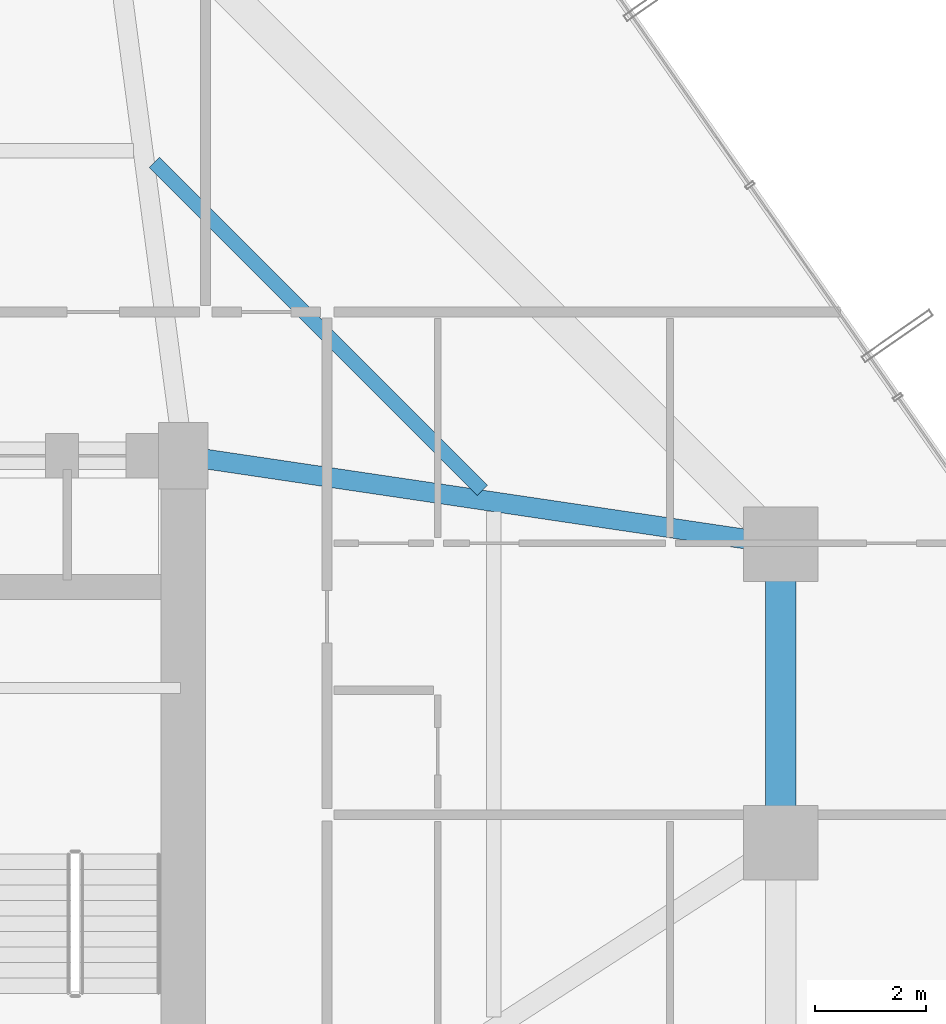
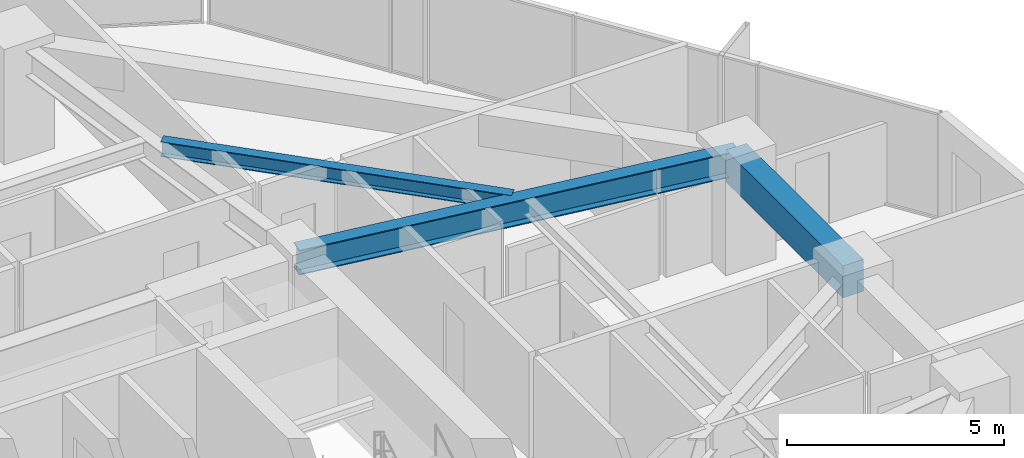
# One storey, part 19 of 37: 3 beams.
"""IFC4 building model written with IfcOpenShell, lengths in metres."""

import ifcopenshell
import ifcopenshell.guid

model = None  # the IFC model being written
_history = None  # IfcOwnerHistory: only IFC2X3 demands one
_inside = {}  # id of a spatial element -> (the spatial element, [elements in it])
_under = {}  # id of a project, library or spatial element -> (it, [spatial elements below it])
_declared = {}  # id of a project -> (the project, [libraries it declares])
_typed = {}  # id of a type object -> (the type object, [elements of that type])
_made_of = {}  # id of a material, layer set ... -> (it, [elements and type objects made of it])


def new_model(schema):
    """Start an empty IFC model of exactly this schema.

    Asked for "IFC4X3", IfcOpenShell would pick the latest addendum, in which some entities
    have other attributes; the version numbers below select the first issue.
    IFC2X3 requires an IfcOwnerHistory on every rooted entity: one is made here for all.
    """
    global model, _history
    if schema == "IFC4X3":
        model = ifcopenshell.file(schema_version=(4, 3, 0, 0))
    else:
        model = ifcopenshell.file(schema=schema)
    _inside.clear()
    _under.clear()
    _declared.clear()
    _typed.clear()
    _made_of.clear()
    _history = None
    if model.schema == "IFC2X3":
        org = make("IfcOrganization", Name="unknown")
        user = make(
            "IfcPersonAndOrganization",
            ThePerson=make("IfcPerson", FamilyName="unknown"),
            TheOrganization=org,
        )
        app = make(
            "IfcApplication",
            ApplicationDeveloper=org,
            Version="unknown",
            ApplicationFullName="unknown",
            ApplicationIdentifier="unknown",
        )
        _history = make(
            "IfcOwnerHistory",
            OwningUser=user,
            OwningApplication=app,
            ChangeAction="ADDED",
            CreationDate=0,
        )
    return model


def make(cls, **values):
    """One entity of the class cls with the attributes given. An attribute that is None is left unset."""
    return model.create_entity(
        cls, **{name: value for name, value in values.items() if value is not None}
    )


def rooted(cls, **values):
    """An entity with a GlobalId (a new one), such as an element, a storey or a relation."""
    return make(cls, GlobalId=ifcopenshell.guid.new(), OwnerHistory=_history, **values)


def si_unit(unit_type, name, prefix=None):
    """IfcSIUnit, for example si_unit("LENGTHUNIT", "METRE", prefix="MILLI")."""
    return make("IfcSIUnit", UnitType=unit_type, Prefix=prefix, Name=name)


def assignment(units):
    """IfcUnitAssignment: the units of a project."""
    return None if units is None else make("IfcUnitAssignment", Units=units)


def point(xyz):
    """IfcCartesianPoint."""
    return None if xyz is None else make("IfcCartesianPoint", Coordinates=xyz)


def direction(xyz):
    """IfcDirection."""
    return None if xyz is None else make("IfcDirection", DirectionRatios=xyz)


def frame(location, z_axis=None, x_axis=None):
    """IfcAxis2Placement3D, a coordinate frame: its origin and axes. An axis left out is left unset."""
    return make(
        "IfcAxis2Placement3D",
        Location=point(location),
        Axis=direction(z_axis),
        RefDirection=direction(x_axis),
    )


def frame_2d(location, x_axis=None):
    """IfcAxis2Placement2D, a coordinate frame in the plane: its origin and x axis."""
    return make(
        "IfcAxis2Placement2D", Location=point(location), RefDirection=direction(x_axis)
    )


def origin():
    """The frame at (0, 0, 0) with its axes left unset."""
    return frame((0.0, 0.0, 0.0))


def origin_2d():
    """The frame at (0, 0) in the plane with its x axis left unset."""
    return frame_2d((0.0, 0.0))


def place(relative_to, where):
    """IfcLocalPlacement: puts the frame where relative to a parent placement (None: the world)."""
    return make(
        "IfcLocalPlacement", PlacementRelTo=relative_to, RelativePlacement=where
    )


def context(
    kind, dimensions, precision=None, world=None, true_north=None, identifier=None
):
    """IfcGeometricRepresentationContext, for example the 3D "Model" context."""
    return make(
        "IfcGeometricRepresentationContext",
        ContextIdentifier=identifier,
        ContextType=kind,
        CoordinateSpaceDimension=dimensions,
        Precision=precision,
        WorldCoordinateSystem=world,
        TrueNorth=true_north,
    )


def subcontext(parent, identifier, kind, view, scale=None):
    """IfcGeometricRepresentationSubContext, for example "Body" below "Model"."""
    return make(
        "IfcGeometricRepresentationSubContext",
        ContextIdentifier=identifier,
        ContextType=kind,
        ParentContext=parent,
        TargetScale=scale,
        TargetView=view,
    )


def project(units=None, contexts=None):
    """IfcProject with its units and contexts."""
    return rooted(
        "IfcProject",
        Name="project",
        RepresentationContexts=contexts,
        UnitsInContext=assignment(units),
    )


def spatial(cls, under=None, at=None, **own):
    """A site, building, storey or space (cls), placed at a placement, below another one or the project."""
    s = rooted(cls, ObjectPlacement=at, **own)
    if under is not None:
        _under.setdefault(under.id(), (under, []))[1].append(s)
    return s


def profile(cls, at=None, kind="AREA", **sizes):
    """A parametric profile (cls). Its sizes go by their IFC names, for example OverallWidth=200.0."""
    return make(cls, ProfileType=kind, Position=at, **sizes)


def rectangle(**sizes):
    """IfcRectangleProfileDef."""
    return profile("IfcRectangleProfileDef", **sizes)


def i_section(**sizes):
    """IfcIShapeProfileDef."""
    return profile("IfcIShapeProfileDef", **sizes)


def extrude(swept, where, along, depth):
    """IfcExtrudedAreaSolid: the profile swept, set in the frame where, extruded along a direction by depth."""
    return make(
        "IfcExtrudedAreaSolid",
        SweptArea=swept,
        Position=where,
        ExtrudedDirection=direction(along),
        Depth=depth,
    )


def shape(context_of_items, identifier, shape_type, items):
    """IfcShapeRepresentation: the items that make up one representation, for example the "Body"."""
    return make(
        "IfcShapeRepresentation",
        ContextOfItems=context_of_items,
        RepresentationIdentifier=identifier,
        RepresentationType=shape_type,
        Items=items,
    )


def material(Name=None, Category=None):
    """IfcMaterial."""
    return make("IfcMaterial", Name=Name, Category=Category)


def material_profile(
    of_material, cross_section, Name=None, Category=None, Priority=None
):
    """IfcMaterialProfile: a cross section and its material."""
    return make(
        "IfcMaterialProfile",
        Name=Name,
        Material=of_material,
        Profile=cross_section,
        Priority=Priority,
        Category=Category,
    )


def profile_set(profiles, Name=None, composite=None):
    """IfcMaterialProfileSet."""
    return make(
        "IfcMaterialProfileSet",
        Name=Name,
        MaterialProfiles=profiles,
        CompositeProfile=composite,
    )


def made_of(thing, what):
    """Note that an element or type object is made of a material, layer set ...; save() writes the relation."""
    if what is not None:
        _made_of.setdefault(what.id(), (what, []))[1].append(thing)
    return thing


def type_object(cls, material=None, **own):
    """A type object (cls), such as IfcWallType, which elements share."""
    return made_of(rooted(cls, **own), material)


def element(
    cls,
    number,
    at=None,
    inside=None,
    cuts=None,
    type_object=None,
    material=None,
    context=None,
    identifier="Body",
    shape_type=None,
    held_by="IfcProductDefinitionShape",
    body=None,
    shapes=None,
    **own,
):
    """One element of the class cls, such as IfcWall. Its Tag is "e" and its number.

    at: its placement. inside: the storey or other place that contains it. cuts: it is an
    opening in that element (IfcRelVoidsElement). A single representation is given by context,
    identifier, shape_type and body (its items); several are given by shapes. held_by: the class
    of the entity that holds the representations. save() writes the other relations.
    """
    e = rooted(cls, Tag="e%d" % number, ObjectPlacement=at, **own)
    if body is not None:
        shapes = [shape(context, identifier, shape_type, body)]
    if shapes is not None:
        e.Representation = make(held_by, Representations=shapes)
    if inside is not None:
        _inside.setdefault(inside.id(), (inside, []))[1].append(e)
    if cuts is not None:
        rooted(
            "IfcRelVoidsElement", RelatingBuildingElement=cuts, RelatedOpeningElement=e
        )
    if type_object is not None:
        _typed.setdefault(type_object.id(), (type_object, []))[1].append(e)
    return made_of(e, material)


def aggregate(whole, parts):
    """IfcRelAggregates: a whole, such as a stair, and the parts it consists of."""
    return rooted("IfcRelAggregates", RelatingObject=whole, RelatedObjects=parts)


def save(model, path):
    """Write the relations noted so far, then the file.

    IfcRelAggregates (storeys below a building ...), IfcRelContainedInSpatialStructure (elements
    in a storey), IfcRelDefinesByType, IfcRelAssociatesMaterial and IfcRelDeclares: one each for
    every whole, place, type object, material and project.
    """
    for whole, parts in _under.values():
        aggregate(whole, parts)
    for where, things in _inside.values():
        rooted(
            "IfcRelContainedInSpatialStructure",
            RelatedElements=things,
            RelatingStructure=where,
        )
    for kind, things in _typed.values():
        rooted("IfcRelDefinesByType", RelatedObjects=things, RelatingType=kind)
    for what, things in _made_of.values():
        rooted("IfcRelAssociatesMaterial", RelatedObjects=things, RelatingMaterial=what)
    for by, libraries in _declared.values():
        rooted("IfcRelDeclares", RelatingContext=by, RelatedDefinitions=libraries)
    model.write(path)


model = new_model("IFC4")

# Units and contexts
model_context = context("Model", 3, precision=1e-05, world=origin(), true_north=direction((0.0, 1.0)))
body_context = subcontext(model_context, "Body", "Model", "MODEL_VIEW")
ifc_project = project(units=[si_unit("LENGTHUNIT", "METRE"), si_unit("AREAUNIT", "SQUARE_METRE"), si_unit("VOLUMEUNIT", "CUBIC_METRE"), si_unit("PLANEANGLEUNIT", "RADIAN"), si_unit("MASSUNIT", "GRAM", prefix="KILO")], contexts=[model_context])

# Site, building, storey
site_placement = place(None, origin())
site = spatial("IfcSite", under=ifc_project, at=site_placement, CompositionType="ELEMENT")
building_placement = place(site_placement, origin())
building = spatial("IfcBuilding", under=site, at=building_placement, Name="Veraguas Prism Commons", CompositionType="ELEMENT")
storey_placement = place(building_placement, frame((0.0, 0.0, 40.300048828125)))
storey = spatial("IfcBuildingStorey", under=building, at=storey_placement, Name="L10", CompositionType="ELEMENT", Elevation=40.300048828125)

# Beams
ifc_material_1 = material(Name="Steel ASTM A992 Grade 50", Category="steel")
ifc_material_profile_1 = material_profile(ifc_material_1, i_section(OverallWidth=0.260986328125, OverallDepth=0.419921875, WebThickness=0.01171875, FlangeThickness=0.019287109375, at=origin_2d()), Name="W410X114")
ifc_profile_set_1 = profile_set([ifc_material_profile_1], Name="Steel ASTM A992 Grade 50")
beam_type_1 = type_object("IfcBeamType", Name="Lower Floor Joist W410x114", PredefinedType="JOIST", material=ifc_profile_set_1)
beam_1_placement = place(storey_placement, frame((36.20703125, 30.376953125, 2.7900390625), z_axis=(-0.707092226423, 0.70712133565, 0.0), x_axis=(-0.70712133565, -0.707092226423, 0.0)))
element("IfcBeam", 1, at=beam_1_placement, inside=storey, type_object=beam_type_1, Name="Composite Floor Joist L10-JS03", PredefinedType="JOIST", context=body_context, shape_type="SweptSolid", body=[
    extrude(i_section(OverallWidth=0.260986328125, OverallDepth=0.419921875, WebThickness=0.01171875, FlangeThickness=0.019287109375, at=origin_2d()), origin(), (0.0, 0.0, 1.0), 8.386962890625),
])
ifc_material_2 = material(Name="Concrete C50/60", Category="concrete")
ifc_material_profile_2 = material_profile(ifc_material_2, rectangle(XDim=0.550048828125, YDim=0.89990234375, at=origin_2d()), Name="RC550X900")
ifc_profile_set_2 = profile_set([ifc_material_profile_2], Name="Concrete C50/60")
beam_type_2 = type_object("IfcBeamType", Name="Perimeter Spandrel Lower RC 550x900", PredefinedType="SPANDREL", material=ifc_profile_set_2)
beam_2_placement = place(storey_placement, frame((41.60009765625, 24.0, 2.550048828125), z_axis=(0.0, 1.0, 0.0), x_axis=(-1.0, 0.0, 0.0)))
element("IfcBeam", 2, at=beam_2_placement, inside=storey, type_object=beam_type_2, Name="Perimeter Spandrel Beam L10-SP02", PredefinedType="SPANDREL", context=body_context, shape_type="SweptSolid", body=[
    extrude(rectangle(XDim=0.550048828125, YDim=0.89990234375, at=origin_2d()), origin(), (0.0, 0.0, 1.0), 5.39990234375),
])
ifc_material_profile_3 = material_profile(ifc_material_1, i_section(OverallWidth=0.35595703125, OverallDepth=0.700927734375, WebThickness=0.016845703125, FlangeThickness=0.02734375, at=origin_2d()), Name="W690X240")
ifc_profile_set_3 = profile_set([ifc_material_profile_3], Name="Steel ASTM A992 Grade 50")
beam_type_3 = type_object("IfcBeamType", Name="Zone 1 Radial Girder W690x240", PredefinedType="BEAM", material=ifc_profile_set_3)
beam_3_placement = place(storey_placement, frame((41.60009765625, 29.39990234375, 2.6494140625), z_axis=(-0.989202261707, 0.146556765224, 0.0), x_axis=(-0.146556765224, -0.989202261707, 0.0)))
element("IfcBeam", 3, at=beam_3_placement, inside=storey, type_object=beam_type_3, Name="Radial Floor Girder L10-RD03", PredefinedType="BEAM", context=body_context, shape_type="SweptSolid", body=[
    extrude(i_section(OverallWidth=0.35595703125, OverallDepth=0.700927734375, WebThickness=0.016845703125, FlangeThickness=0.02734375, at=origin_2d()), origin(), (0.0, 0.0, 1.0), 10.91796875),
])

save(model, "model.ifc")
